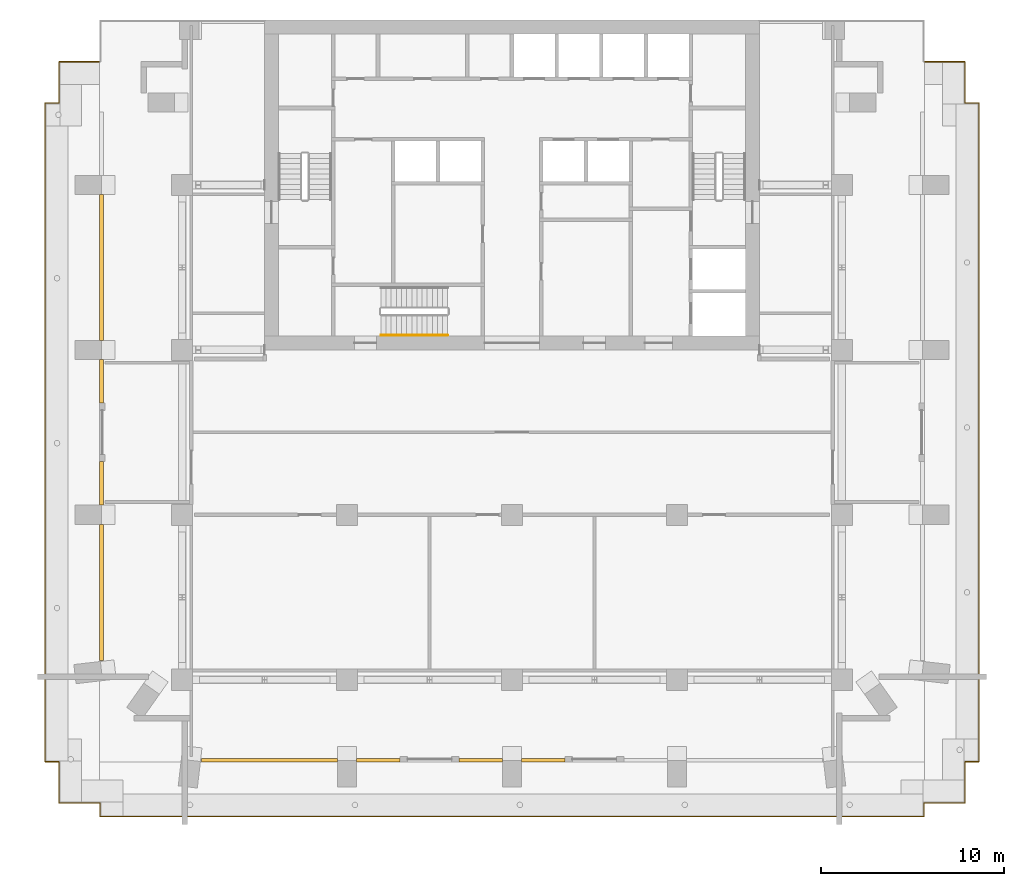
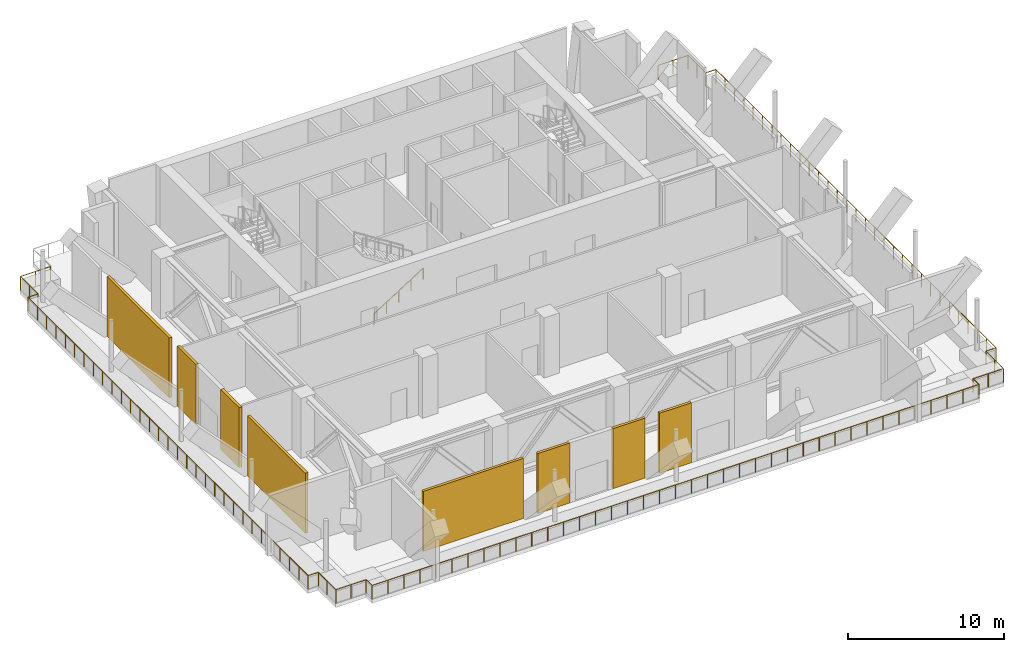
# One storey, part 6 of 9: 8 shading devices, 2 railings.
"""IFC4 building model written with IfcOpenShell, lengths in metres."""

from ifc_helpers import new_model, si_unit, direction, frame, origin, origin_2d, place, context, subcontext, project, spatial, polyline, rectangle, circle, outline, extrude, material, layer, layer_set, type_object, element, save


model = new_model("IFC4")

# Units and contexts
model_context = context("Model", 3, precision=1e-05, world=origin(), true_north=direction((0.0, 1.0)))
body_context = subcontext(model_context, "Body", "Model", "MODEL_VIEW")
ifc_project = project(units=[si_unit("LENGTHUNIT", "METRE"), si_unit("AREAUNIT", "SQUARE_METRE"), si_unit("VOLUMEUNIT", "CUBIC_METRE"), si_unit("PLANEANGLEUNIT", "RADIAN"), si_unit("MASSUNIT", "GRAM", prefix="KILO")], contexts=[model_context])

# Site, building, storey
site_placement = place(None, origin())
site = spatial("IfcSite", under=ifc_project, at=site_placement, CompositionType="ELEMENT")
building_placement = place(site_placement, origin())
building = spatial("IfcBuilding", under=site, at=building_placement, Name="Orbiselva Terraces", CompositionType="ELEMENT")
storey_placement = place(building_placement, frame((0.0, 0.0, 179.4)))
storey = spatial("IfcBuildingStorey", under=building, at=storey_placement, Name="L45", CompositionType="ELEMENT", Elevation=179.4)

# Railing
ifc_material_1 = material(Name="Stainless steel", Category="steel")
railing_type_1 = type_object("IfcRailingType", Name="CORE-HANDRAIL-900", PredefinedType="HANDRAIL", material=ifc_material_1)
railing_1_placement = place(storey_placement, frame((-7.15, 5.3, 0.178571)))
element("IfcRailing", 1, at=railing_1_placement, inside=storey, type_object=railing_type_1, Name="L45 S3 stair handrail 1", PredefinedType="HANDRAIL", context=body_context, shape_type="SweptSolid", body=[
    extrude(circle(Radius=0.024, at=origin_2d()), frame((0.0, 0.0, 0.876), z_axis=(0.843129645223, 0.0, 0.537710332192), x_axis=(0.0, 1.0, 0.0)), (0.0, 0.0, 1.0), 4.317248),
    extrude(circle(Radius=0.021, at=origin_2d()), origin(), (0.0, 0.0, 1.0), 0.852),
    extrude(circle(Radius=0.021, at=origin_2d()), frame((0.91, 0.0, 0.580357)), (0.0, 0.0, 1.0), 0.852),
    extrude(circle(Radius=0.021, at=origin_2d()), frame((1.82, 0.0, 1.160714)), (0.0, 0.0, 1.0), 0.852),
    extrude(circle(Radius=0.021, at=origin_2d()), frame((2.73, 0.0, 1.741072)), (0.0, 0.0, 1.0), 0.852),
    extrude(circle(Radius=0.021, at=origin_2d()), frame((3.64, 0.0, 2.321429)), (0.0, 0.0, 1.0), 0.852),
])

# Shading devices
ifc_material_2 = material(Name="Terracotta louvre blades", Category="masonry")
ifc_layer = layer(ifc_material_2, 0.2)
ifc_layer_set = layer_set([ifc_layer], Name="Terracotta louvre blades")
shading_device_type = type_object("IfcShadingDeviceType", Name="ENV-LOUVRE-WALL-200", PredefinedType="USERDEFINED", material=ifc_layer_set)
shading_device_1_placement = place(storey_placement, origin())
element("IfcShadingDevice", 2, at=shading_device_1_placement, inside=storey, type_object=shading_device_type, Name="Louvre wall L45 S", ObjectType="LOUVRE", PredefinedType="USERDEFINED", context=body_context, shape_type="SweptSolid", body=[
    extrude(outline(polyline([(-16.957188, -18.0), (-9.525, -18.0), (-9.525, -17.8), (-16.957188, -17.8), (-16.957188, -18.0)])), origin(), (0.0, 0.0, 1.0), 4.7),
])
shading_device_2_placement = place(storey_placement, origin())
element("IfcShadingDevice", 3, at=shading_device_2_placement, inside=storey, type_object=shading_device_type, Name="Louvre wall L45 S", ObjectType="LOUVRE", PredefinedType="USERDEFINED", context=body_context, shape_type="SweptSolid", body=[
    extrude(outline(polyline([(-8.475, -18.0), (-6.1, -18.0), (-6.1, -17.8), (-8.475, -17.8), (-8.475, -18.0)])), origin(), (0.0, 0.0, 1.0), 4.7),
])
shading_device_3_placement = place(storey_placement, origin())
element("IfcShadingDevice", 4, at=shading_device_3_placement, inside=storey, type_object=shading_device_type, Name="Louvre wall L45 S", ObjectType="LOUVRE", PredefinedType="USERDEFINED", context=body_context, shape_type="SweptSolid", body=[
    extrude(outline(polyline([(-2.9, -18.0), (-0.525, -18.0), (-0.525, -17.8), (-2.9, -17.8), (-2.9, -18.0)])), origin(), (0.0, 0.0, 1.0), 4.7),
])
shading_device_4_placement = place(storey_placement, origin())
element("IfcShadingDevice", 5, at=shading_device_4_placement, inside=storey, type_object=shading_device_type, Name="Louvre wall L45 S", ObjectType="LOUVRE", PredefinedType="USERDEFINED", context=body_context, shape_type="SweptSolid", body=[
    extrude(outline(polyline([(0.525, -18.0), (2.9, -18.0), (2.9, -17.8), (0.525, -17.8), (0.525, -18.0)])), origin(), (0.0, 0.0, 1.0), 4.7),
])
shading_device_5_placement = place(storey_placement, origin())
element("IfcShadingDevice", 6, at=shading_device_5_placement, inside=storey, type_object=shading_device_type, Name="Louvre wall L45 W", ObjectType="LOUVRE", PredefinedType="USERDEFINED", context=body_context, shape_type="SweptSolid", body=[
    extrude(outline(polyline([(-22.5, 12.975), (-22.5, 5.025), (-22.3, 5.025), (-22.3, 12.975), (-22.5, 12.975)])), origin(), (0.0, 0.0, 1.0), 4.7),
])
shading_device_6_placement = place(storey_placement, origin())
element("IfcShadingDevice", 7, at=shading_device_6_placement, inside=storey, type_object=shading_device_type, Name="Louvre wall L45 W", ObjectType="LOUVRE", PredefinedType="USERDEFINED", context=body_context, shape_type="SweptSolid", body=[
    extrude(outline(polyline([(-22.5, 3.975), (-22.5, 1.6), (-22.3, 1.6), (-22.3, 3.975), (-22.5, 3.975)])), origin(), (0.0, 0.0, 1.0), 4.7),
])
shading_device_7_placement = place(storey_placement, origin())
element("IfcShadingDevice", 8, at=shading_device_7_placement, inside=storey, type_object=shading_device_type, Name="Louvre wall L45 W", ObjectType="LOUVRE", PredefinedType="USERDEFINED", context=body_context, shape_type="SweptSolid", body=[
    extrude(outline(polyline([(-22.5, -1.6), (-22.5, -3.975), (-22.3, -3.975), (-22.3, -1.6), (-22.5, -1.6)])), origin(), (0.0, 0.0, 1.0), 4.7),
])
shading_device_8_placement = place(storey_placement, origin())
element("IfcShadingDevice", 9, at=shading_device_8_placement, inside=storey, type_object=shading_device_type, Name="Louvre wall L45 W", ObjectType="LOUVRE", PredefinedType="USERDEFINED", context=body_context, shape_type="SweptSolid", body=[
    extrude(outline(polyline([(-22.5, -5.025), (-22.5, -12.457188), (-22.3, -12.457188), (-22.3, -5.025), (-22.5, -5.025)])), origin(), (0.0, 0.0, 1.0), 4.7),
])

# Railing
ifc_material_3 = material(Name="Stainless steel rail and posts", Category="steel")
railing_type_2 = type_object("IfcRailingType", Name="ENV-TERRACE-GUARD-1105", PredefinedType="BALUSTRADE", material=ifc_material_3)
railing_2_placement = place(storey_placement, frame((-22.5, 20.225, 0.0)))
element("IfcRailing", 10, at=railing_2_placement, inside=storey, type_object=railing_type_2, Name="Guard L45 ring", PredefinedType="BALUSTRADE", context=body_context, shape_type="SweptSolid", body=[
    extrude(outline(polyline([(0.028868, 0.0), (0.014434, 0.025), (-0.014434, 0.025), (-0.028868, 0.0), (-0.014434, -0.025), (0.014434, -0.025), (0.028868, 0.0)])), frame((0.0, 0.0, 1.08), z_axis=(-1.0, 0.0, 0.0), x_axis=(0.0, -1.0, 0.0)), (0.0, 0.0, 1.0), 2.225),
    extrude(outline(polyline([(0.028868, 0.0), (0.014434, 0.025), (-0.014434, 0.025), (-0.028868, 0.0), (-0.014434, -0.025), (0.014434, -0.025), (0.028868, 0.0)])), frame((-2.225, 0.0, 1.08), z_axis=(0.0, -1.0, 0.0), x_axis=(1.0, 0.0, 0.0)), (0.0, 0.0, 1.0), 2.25),
    extrude(outline(polyline([(0.028868, 0.0), (0.014434, 0.025), (-0.014434, 0.025), (-0.028868, 0.0), (-0.014434, -0.025), (0.014434, -0.025), (0.028868, 0.0)])), frame((-2.225, -2.25, 1.08), z_axis=(-1.0, 0.0, 0.0), x_axis=(0.0, -1.0, 0.0)), (0.0, 0.0, 1.0), 0.75),
    extrude(outline(polyline([(0.028868, 0.0), (0.014434, 0.025), (-0.014434, 0.025), (-0.028868, 0.0), (-0.014434, -0.025), (0.014434, -0.025), (0.028868, 0.0)])), frame((-2.975, -2.25, 1.08), z_axis=(0.0, -1.0, 0.0), x_axis=(1.0, 0.0, 0.0)), (0.0, 0.0, 1.0), 35.95),
    extrude(outline(polyline([(0.028868, 0.0), (0.014434, 0.025), (-0.014434, 0.025), (-0.028868, 0.0), (-0.014434, -0.025), (0.014434, -0.025), (0.028868, 0.0)])), frame((-2.975, -38.2, 1.08), z_axis=(1.0, 0.0, 0.0), x_axis=(0.0, 1.0, 0.0)), (0.0, 0.0, 1.0), 0.75),
    extrude(outline(polyline([(0.028868, 0.0), (0.014434, 0.025), (-0.014434, 0.025), (-0.028868, 0.0), (-0.014434, -0.025), (0.014434, -0.025), (0.028868, 0.0)])), frame((-2.225, -38.2, 1.08), z_axis=(0.0, -1.0, 0.0), x_axis=(1.0, 0.0, 0.0)), (0.0, 0.0, 1.0), 2.25),
    extrude(outline(polyline([(0.028868, 0.0), (0.014434, 0.025), (-0.014434, 0.025), (-0.028868, 0.0), (-0.014434, -0.025), (0.014434, -0.025), (0.028868, 0.0)])), frame((-2.225, -40.45, 1.08), z_axis=(1.0, 0.0, 0.0), x_axis=(0.0, 1.0, 0.0)), (0.0, 0.0, 1.0), 2.25),
    extrude(outline(polyline([(0.028868, 0.0), (0.014434, 0.025), (-0.014434, 0.025), (-0.028868, 0.0), (-0.014434, -0.025), (0.014434, -0.025), (0.028868, 0.0)])), frame((0.025, -40.45, 1.08), z_axis=(0.0, -1.0, 0.0), x_axis=(1.0, 0.0, 0.0)), (0.0, 0.0, 1.0), 0.75),
    extrude(outline(polyline([(0.028868, 0.0), (0.014434, 0.025), (-0.014434, 0.025), (-0.028868, 0.0), (-0.014434, -0.025), (0.014434, -0.025), (0.028868, 0.0)])), frame((0.025, -41.2, 1.08), z_axis=(1.0, 0.0, 0.0), x_axis=(0.0, 1.0, 0.0)), (0.0, 0.0, 1.0), 44.95),
    extrude(outline(polyline([(0.028868, 0.0), (0.014434, 0.025), (-0.014434, 0.025), (-0.028868, 0.0), (-0.014434, -0.025), (0.014434, -0.025), (0.028868, 0.0)])), frame((44.975, -41.2, 1.08), z_axis=(0.0, 1.0, 0.0), x_axis=(-1.0, 0.0, 0.0)), (0.0, 0.0, 1.0), 0.75),
    extrude(outline(polyline([(0.028868, 0.0), (0.014434, 0.025), (-0.014434, 0.025), (-0.028868, 0.0), (-0.014434, -0.025), (0.014434, -0.025), (0.028868, 0.0)])), frame((44.975, -40.45, 1.08), z_axis=(1.0, 0.0, 0.0), x_axis=(0.0, 1.0, 0.0)), (0.0, 0.0, 1.0), 2.25),
    extrude(outline(polyline([(0.028868, 0.0), (0.014434, 0.025), (-0.014434, 0.025), (-0.028868, 0.0), (-0.014434, -0.025), (0.014434, -0.025), (0.028868, 0.0)])), frame((47.225, -40.45, 1.08), z_axis=(0.0, 1.0, 0.0), x_axis=(-1.0, 0.0, 0.0)), (0.0, 0.0, 1.0), 2.25),
    extrude(outline(polyline([(0.028868, 0.0), (0.014434, 0.025), (-0.014434, 0.025), (-0.028868, 0.0), (-0.014434, -0.025), (0.014434, -0.025), (0.028868, 0.0)])), frame((47.225, -38.2, 1.08), z_axis=(1.0, 0.0, 0.0), x_axis=(0.0, 1.0, 0.0)), (0.0, 0.0, 1.0), 0.75),
    extrude(outline(polyline([(0.028868, 0.0), (0.014434, 0.025), (-0.014434, 0.025), (-0.028868, 0.0), (-0.014434, -0.025), (0.014434, -0.025), (0.028868, 0.0)])), frame((47.975, -38.2, 1.08), z_axis=(0.0, 1.0, 0.0), x_axis=(-1.0, 0.0, 0.0)), (0.0, 0.0, 1.0), 35.95),
    extrude(outline(polyline([(0.028868, 0.0), (0.014434, 0.025), (-0.014434, 0.025), (-0.028868, 0.0), (-0.014434, -0.025), (0.014434, -0.025), (0.028868, 0.0)])), frame((47.975, -2.25, 1.08), z_axis=(-1.0, 0.0, 0.0), x_axis=(0.0, -1.0, 0.0)), (0.0, 0.0, 1.0), 0.75),
    extrude(outline(polyline([(0.028868, 0.0), (0.014434, 0.025), (-0.014434, 0.025), (-0.028868, 0.0), (-0.014434, -0.025), (0.014434, -0.025), (0.028868, 0.0)])), frame((47.225, -2.25, 1.08), z_axis=(0.0, 1.0, 0.0), x_axis=(-1.0, 0.0, 0.0)), (0.0, 0.0, 1.0), 2.25),
    extrude(outline(polyline([(0.028868, 0.0), (0.014434, 0.025), (-0.014434, 0.025), (-0.028868, 0.0), (-0.014434, -0.025), (0.014434, -0.025), (0.028868, 0.0)])), frame((47.225, 0.0, 1.08), z_axis=(-1.0, 0.0, 0.0), x_axis=(0.0, -1.0, 0.0)), (0.0, 0.0, 1.0), 2.225),
    extrude(rectangle(XDim=0.05, YDim=0.05, at=origin_2d()), origin(), (0.0, 0.0, 1.0), 1.055),
    extrude(rectangle(XDim=0.05, YDim=0.05, at=origin_2d()), frame((-1.1125, 0.0, 0.0)), (0.0, 0.0, 1.0), 1.055),
    extrude(rectangle(XDim=0.05, YDim=0.05, at=origin_2d()), frame((-2.225, 0.0, 0.0)), (0.0, 0.0, 1.0), 1.055),
    extrude(rectangle(XDim=0.05, YDim=0.05, at=origin_2d()), frame((-2.225, -1.125, 0.0)), (0.0, 0.0, 1.0), 1.055),
    extrude(rectangle(XDim=0.05, YDim=0.05, at=origin_2d()), frame((-2.225, -2.25, 0.0)), (0.0, 0.0, 1.0), 1.055),
    extrude(rectangle(XDim=0.05, YDim=0.05, at=origin_2d()), frame((-2.975, -2.25, 0.0)), (0.0, 0.0, 1.0), 1.055),
    extrude(rectangle(XDim=0.05, YDim=0.05, at=origin_2d()), frame((-2.975, -3.448333, 0.0)), (0.0, 0.0, 1.0), 1.055),
    extrude(rectangle(XDim=0.05, YDim=0.05, at=origin_2d()), frame((-2.975, -4.646667, 0.0)), (0.0, 0.0, 1.0), 1.055),
    extrude(rectangle(XDim=0.05, YDim=0.05, at=origin_2d()), frame((-2.975, -5.845, 0.0)), (0.0, 0.0, 1.0), 1.055),
    extrude(rectangle(XDim=0.05, YDim=0.05, at=origin_2d()), frame((-2.975, -7.043333, 0.0)), (0.0, 0.0, 1.0), 1.055),
    extrude(rectangle(XDim=0.05, YDim=0.05, at=origin_2d()), frame((-2.975, -8.241667, 0.0)), (0.0, 0.0, 1.0), 1.055),
    extrude(rectangle(XDim=0.05, YDim=0.05, at=origin_2d()), frame((-2.975, -9.44, 0.0)), (0.0, 0.0, 1.0), 1.055),
    extrude(rectangle(XDim=0.05, YDim=0.05, at=origin_2d()), frame((-2.975, -10.638333, 0.0)), (0.0, 0.0, 1.0), 1.055),
    extrude(rectangle(XDim=0.05, YDim=0.05, at=origin_2d()), frame((-2.975, -11.836667, 0.0)), (0.0, 0.0, 1.0), 1.055),
    extrude(rectangle(XDim=0.05, YDim=0.05, at=origin_2d()), frame((-2.975, -13.035, 0.0)), (0.0, 0.0, 1.0), 1.055),
    extrude(rectangle(XDim=0.05, YDim=0.05, at=origin_2d()), frame((-2.975, -14.233333, 0.0)), (0.0, 0.0, 1.0), 1.055),
    extrude(rectangle(XDim=0.05, YDim=0.05, at=origin_2d()), frame((-2.975, -15.431667, 0.0)), (0.0, 0.0, 1.0), 1.055),
    extrude(rectangle(XDim=0.05, YDim=0.05, at=origin_2d()), frame((-2.975, -16.63, 0.0)), (0.0, 0.0, 1.0), 1.055),
    extrude(rectangle(XDim=0.05, YDim=0.05, at=origin_2d()), frame((-2.975, -17.828333, 0.0)), (0.0, 0.0, 1.0), 1.055),
    extrude(rectangle(XDim=0.05, YDim=0.05, at=origin_2d()), frame((-2.975, -19.026667, 0.0)), (0.0, 0.0, 1.0), 1.055),
    extrude(rectangle(XDim=0.05, YDim=0.05, at=origin_2d()), frame((-2.975, -20.225, 0.0)), (0.0, 0.0, 1.0), 1.055),
    extrude(rectangle(XDim=0.05, YDim=0.05, at=origin_2d()), frame((-2.975, -21.423333, 0.0)), (0.0, 0.0, 1.0), 1.055),
    extrude(rectangle(XDim=0.05, YDim=0.05, at=origin_2d()), frame((-2.975, -22.621667, 0.0)), (0.0, 0.0, 1.0), 1.055),
    extrude(rectangle(XDim=0.05, YDim=0.05, at=origin_2d()), frame((-2.975, -23.82, 0.0)), (0.0, 0.0, 1.0), 1.055),
    extrude(rectangle(XDim=0.05, YDim=0.05, at=origin_2d()), frame((-2.975, -25.018333, 0.0)), (0.0, 0.0, 1.0), 1.055),
    extrude(rectangle(XDim=0.05, YDim=0.05, at=origin_2d()), frame((-2.975, -26.216667, 0.0)), (0.0, 0.0, 1.0), 1.055),
    extrude(rectangle(XDim=0.05, YDim=0.05, at=origin_2d()), frame((-2.975, -27.415, 0.0)), (0.0, 0.0, 1.0), 1.055),
    extrude(rectangle(XDim=0.05, YDim=0.05, at=origin_2d()), frame((-2.975, -28.613333, 0.0)), (0.0, 0.0, 1.0), 1.055),
    extrude(rectangle(XDim=0.05, YDim=0.05, at=origin_2d()), frame((-2.975, -29.811667, 0.0)), (0.0, 0.0, 1.0), 1.055),
    extrude(rectangle(XDim=0.05, YDim=0.05, at=origin_2d()), frame((-2.975, -31.01, 0.0)), (0.0, 0.0, 1.0), 1.055),
    extrude(rectangle(XDim=0.05, YDim=0.05, at=origin_2d()), frame((-2.975, -32.208333, 0.0)), (0.0, 0.0, 1.0), 1.055),
    extrude(rectangle(XDim=0.05, YDim=0.05, at=origin_2d()), frame((-2.975, -33.406667, 0.0)), (0.0, 0.0, 1.0), 1.055),
    extrude(rectangle(XDim=0.05, YDim=0.05, at=origin_2d()), frame((-2.975, -34.605, 0.0)), (0.0, 0.0, 1.0), 1.055),
    extrude(rectangle(XDim=0.05, YDim=0.05, at=origin_2d()), frame((-2.975, -35.803333, 0.0)), (0.0, 0.0, 1.0), 1.055),
    extrude(rectangle(XDim=0.05, YDim=0.05, at=origin_2d()), frame((-2.975, -37.001667, 0.0)), (0.0, 0.0, 1.0), 1.055),
    extrude(rectangle(XDim=0.05, YDim=0.05, at=origin_2d()), frame((-2.975, -38.2, 0.0)), (0.0, 0.0, 1.0), 1.055),
    extrude(rectangle(XDim=0.05, YDim=0.05, at=origin_2d()), frame((-2.225, -38.2, 0.0)), (0.0, 0.0, 1.0), 1.055),
    extrude(rectangle(XDim=0.05, YDim=0.05, at=origin_2d()), frame((-2.225, -39.325, 0.0)), (0.0, 0.0, 1.0), 1.055),
    extrude(rectangle(XDim=0.05, YDim=0.05, at=origin_2d()), frame((-2.225, -40.45, 0.0)), (0.0, 0.0, 1.0), 1.055),
    extrude(rectangle(XDim=0.05, YDim=0.05, at=origin_2d()), frame((-1.1, -40.45, 0.0)), (0.0, 0.0, 1.0), 1.055),
    extrude(rectangle(XDim=0.05, YDim=0.05, at=origin_2d()), frame((0.025, -40.45, 0.0)), (0.0, 0.0, 1.0), 1.055),
    extrude(rectangle(XDim=0.05, YDim=0.05, at=origin_2d()), frame((0.025, -41.2, 0.0)), (0.0, 0.0, 1.0), 1.055),
    extrude(rectangle(XDim=0.05, YDim=0.05, at=origin_2d()), frame((1.207895, -41.2, 0.0)), (0.0, 0.0, 1.0), 1.055),
    extrude(rectangle(XDim=0.05, YDim=0.05, at=origin_2d()), frame((2.390789, -41.2, 0.0)), (0.0, 0.0, 1.0), 1.055),
    extrude(rectangle(XDim=0.05, YDim=0.05, at=origin_2d()), frame((3.573684, -41.2, 0.0)), (0.0, 0.0, 1.0), 1.055),
    extrude(rectangle(XDim=0.05, YDim=0.05, at=origin_2d()), frame((4.756579, -41.2, 0.0)), (0.0, 0.0, 1.0), 1.055),
    extrude(rectangle(XDim=0.05, YDim=0.05, at=origin_2d()), frame((5.939474, -41.2, 0.0)), (0.0, 0.0, 1.0), 1.055),
    extrude(rectangle(XDim=0.05, YDim=0.05, at=origin_2d()), frame((7.122368, -41.2, 0.0)), (0.0, 0.0, 1.0), 1.055),
    extrude(rectangle(XDim=0.05, YDim=0.05, at=origin_2d()), frame((8.305263, -41.2, 0.0)), (0.0, 0.0, 1.0), 1.055),
    extrude(rectangle(XDim=0.05, YDim=0.05, at=origin_2d()), frame((9.488158, -41.2, 0.0)), (0.0, 0.0, 1.0), 1.055),
    extrude(rectangle(XDim=0.05, YDim=0.05, at=origin_2d()), frame((10.671053, -41.2, 0.0)), (0.0, 0.0, 1.0), 1.055),
    extrude(rectangle(XDim=0.05, YDim=0.05, at=origin_2d()), frame((11.853947, -41.2, 0.0)), (0.0, 0.0, 1.0), 1.055),
    extrude(rectangle(XDim=0.05, YDim=0.05, at=origin_2d()), frame((13.036842, -41.2, 0.0)), (0.0, 0.0, 1.0), 1.055),
    extrude(rectangle(XDim=0.05, YDim=0.05, at=origin_2d()), frame((14.219737, -41.2, 0.0)), (0.0, 0.0, 1.0), 1.055),
    extrude(rectangle(XDim=0.05, YDim=0.05, at=origin_2d()), frame((15.402632, -41.2, 0.0)), (0.0, 0.0, 1.0), 1.055),
    extrude(rectangle(XDim=0.05, YDim=0.05, at=origin_2d()), frame((16.585526, -41.2, 0.0)), (0.0, 0.0, 1.0), 1.055),
    extrude(rectangle(XDim=0.05, YDim=0.05, at=origin_2d()), frame((17.768421, -41.2, 0.0)), (0.0, 0.0, 1.0), 1.055),
    extrude(rectangle(XDim=0.05, YDim=0.05, at=origin_2d()), frame((18.951316, -41.2, 0.0)), (0.0, 0.0, 1.0), 1.055),
    extrude(rectangle(XDim=0.05, YDim=0.05, at=origin_2d()), frame((20.134211, -41.2, 0.0)), (0.0, 0.0, 1.0), 1.055),
    extrude(rectangle(XDim=0.05, YDim=0.05, at=origin_2d()), frame((21.317105, -41.2, 0.0)), (0.0, 0.0, 1.0), 1.055),
    extrude(rectangle(XDim=0.05, YDim=0.05, at=origin_2d()), frame((22.5, -41.2, 0.0)), (0.0, 0.0, 1.0), 1.055),
    extrude(rectangle(XDim=0.05, YDim=0.05, at=origin_2d()), frame((23.682895, -41.2, 0.0)), (0.0, 0.0, 1.0), 1.055),
    extrude(rectangle(XDim=0.05, YDim=0.05, at=origin_2d()), frame((24.865789, -41.2, 0.0)), (0.0, 0.0, 1.0), 1.055),
    extrude(rectangle(XDim=0.05, YDim=0.05, at=origin_2d()), frame((26.048684, -41.2, 0.0)), (0.0, 0.0, 1.0), 1.055),
    extrude(rectangle(XDim=0.05, YDim=0.05, at=origin_2d()), frame((27.231579, -41.2, 0.0)), (0.0, 0.0, 1.0), 1.055),
    extrude(rectangle(XDim=0.05, YDim=0.05, at=origin_2d()), frame((28.414474, -41.2, 0.0)), (0.0, 0.0, 1.0), 1.055),
    extrude(rectangle(XDim=0.05, YDim=0.05, at=origin_2d()), frame((29.597368, -41.2, 0.0)), (0.0, 0.0, 1.0), 1.055),
    extrude(rectangle(XDim=0.05, YDim=0.05, at=origin_2d()), frame((30.780263, -41.2, 0.0)), (0.0, 0.0, 1.0), 1.055),
    extrude(rectangle(XDim=0.05, YDim=0.05, at=origin_2d()), frame((31.963158, -41.2, 0.0)), (0.0, 0.0, 1.0), 1.055),
    extrude(rectangle(XDim=0.05, YDim=0.05, at=origin_2d()), frame((33.146053, -41.2, 0.0)), (0.0, 0.0, 1.0), 1.055),
    extrude(rectangle(XDim=0.05, YDim=0.05, at=origin_2d()), frame((34.328947, -41.2, 0.0)), (0.0, 0.0, 1.0), 1.055),
    extrude(rectangle(XDim=0.05, YDim=0.05, at=origin_2d()), frame((35.511842, -41.2, 0.0)), (0.0, 0.0, 1.0), 1.055),
    extrude(rectangle(XDim=0.05, YDim=0.05, at=origin_2d()), frame((36.694737, -41.2, 0.0)), (0.0, 0.0, 1.0), 1.055),
    extrude(rectangle(XDim=0.05, YDim=0.05, at=origin_2d()), frame((37.877632, -41.2, 0.0)), (0.0, 0.0, 1.0), 1.055),
    extrude(rectangle(XDim=0.05, YDim=0.05, at=origin_2d()), frame((39.060526, -41.2, 0.0)), (0.0, 0.0, 1.0), 1.055),
    extrude(rectangle(XDim=0.05, YDim=0.05, at=origin_2d()), frame((40.243421, -41.2, 0.0)), (0.0, 0.0, 1.0), 1.055),
    extrude(rectangle(XDim=0.05, YDim=0.05, at=origin_2d()), frame((41.426316, -41.2, 0.0)), (0.0, 0.0, 1.0), 1.055),
    extrude(rectangle(XDim=0.05, YDim=0.05, at=origin_2d()), frame((42.609211, -41.2, 0.0)), (0.0, 0.0, 1.0), 1.055),
    extrude(rectangle(XDim=0.05, YDim=0.05, at=origin_2d()), frame((43.792105, -41.2, 0.0)), (0.0, 0.0, 1.0), 1.055),
    extrude(rectangle(XDim=0.05, YDim=0.05, at=origin_2d()), frame((44.975, -41.2, 0.0)), (0.0, 0.0, 1.0), 1.055),
    extrude(rectangle(XDim=0.05, YDim=0.05, at=origin_2d()), frame((44.975, -40.45, 0.0)), (0.0, 0.0, 1.0), 1.055),
    extrude(rectangle(XDim=0.05, YDim=0.05, at=origin_2d()), frame((46.1, -40.45, 0.0)), (0.0, 0.0, 1.0), 1.055),
    extrude(rectangle(XDim=0.05, YDim=0.05, at=origin_2d()), frame((47.225, -40.45, 0.0)), (0.0, 0.0, 1.0), 1.055),
    extrude(rectangle(XDim=0.05, YDim=0.05, at=origin_2d()), frame((47.225, -39.325, 0.0)), (0.0, 0.0, 1.0), 1.055),
    extrude(rectangle(XDim=0.05, YDim=0.05, at=origin_2d()), frame((47.225, -38.2, 0.0)), (0.0, 0.0, 1.0), 1.055),
    extrude(rectangle(XDim=0.05, YDim=0.05, at=origin_2d()), frame((47.975, -38.2, 0.0)), (0.0, 0.0, 1.0), 1.055),
    extrude(rectangle(XDim=0.05, YDim=0.05, at=origin_2d()), frame((47.975, -37.001667, 0.0)), (0.0, 0.0, 1.0), 1.055),
    extrude(rectangle(XDim=0.05, YDim=0.05, at=origin_2d()), frame((47.975, -35.803333, 0.0)), (0.0, 0.0, 1.0), 1.055),
    extrude(rectangle(XDim=0.05, YDim=0.05, at=origin_2d()), frame((47.975, -34.605, 0.0)), (0.0, 0.0, 1.0), 1.055),
    extrude(rectangle(XDim=0.05, YDim=0.05, at=origin_2d()), frame((47.975, -33.406667, 0.0)), (0.0, 0.0, 1.0), 1.055),
    extrude(rectangle(XDim=0.05, YDim=0.05, at=origin_2d()), frame((47.975, -32.208333, 0.0)), (0.0, 0.0, 1.0), 1.055),
    extrude(rectangle(XDim=0.05, YDim=0.05, at=origin_2d()), frame((47.975, -31.01, 0.0)), (0.0, 0.0, 1.0), 1.055),
    extrude(rectangle(XDim=0.05, YDim=0.05, at=origin_2d()), frame((47.975, -29.811667, 0.0)), (0.0, 0.0, 1.0), 1.055),
    extrude(rectangle(XDim=0.05, YDim=0.05, at=origin_2d()), frame((47.975, -28.613333, 0.0)), (0.0, 0.0, 1.0), 1.055),
    extrude(rectangle(XDim=0.05, YDim=0.05, at=origin_2d()), frame((47.975, -27.415, 0.0)), (0.0, 0.0, 1.0), 1.055),
    extrude(rectangle(XDim=0.05, YDim=0.05, at=origin_2d()), frame((47.975, -26.216667, 0.0)), (0.0, 0.0, 1.0), 1.055),
    extrude(rectangle(XDim=0.05, YDim=0.05, at=origin_2d()), frame((47.975, -25.018333, 0.0)), (0.0, 0.0, 1.0), 1.055),
    extrude(rectangle(XDim=0.05, YDim=0.05, at=origin_2d()), frame((47.975, -23.82, 0.0)), (0.0, 0.0, 1.0), 1.055),
    extrude(rectangle(XDim=0.05, YDim=0.05, at=origin_2d()), frame((47.975, -22.621667, 0.0)), (0.0, 0.0, 1.0), 1.055),
    extrude(rectangle(XDim=0.05, YDim=0.05, at=origin_2d()), frame((47.975, -21.423333, 0.0)), (0.0, 0.0, 1.0), 1.055),
    extrude(rectangle(XDim=0.05, YDim=0.05, at=origin_2d()), frame((47.975, -20.225, 0.0)), (0.0, 0.0, 1.0), 1.055),
    extrude(rectangle(XDim=0.05, YDim=0.05, at=origin_2d()), frame((47.975, -19.026667, 0.0)), (0.0, 0.0, 1.0), 1.055),
    extrude(rectangle(XDim=0.05, YDim=0.05, at=origin_2d()), frame((47.975, -17.828333, 0.0)), (0.0, 0.0, 1.0), 1.055),
    extrude(rectangle(XDim=0.05, YDim=0.05, at=origin_2d()), frame((47.975, -16.63, 0.0)), (0.0, 0.0, 1.0), 1.055),
    extrude(rectangle(XDim=0.05, YDim=0.05, at=origin_2d()), frame((47.975, -15.431667, 0.0)), (0.0, 0.0, 1.0), 1.055),
    extrude(rectangle(XDim=0.05, YDim=0.05, at=origin_2d()), frame((47.975, -14.233333, 0.0)), (0.0, 0.0, 1.0), 1.055),
    extrude(rectangle(XDim=0.05, YDim=0.05, at=origin_2d()), frame((47.975, -13.035, 0.0)), (0.0, 0.0, 1.0), 1.055),
    extrude(rectangle(XDim=0.05, YDim=0.05, at=origin_2d()), frame((47.975, -11.836667, 0.0)), (0.0, 0.0, 1.0), 1.055),
    extrude(rectangle(XDim=0.05, YDim=0.05, at=origin_2d()), frame((47.975, -10.638333, 0.0)), (0.0, 0.0, 1.0), 1.055),
    extrude(rectangle(XDim=0.05, YDim=0.05, at=origin_2d()), frame((47.975, -9.44, 0.0)), (0.0, 0.0, 1.0), 1.055),
    extrude(rectangle(XDim=0.05, YDim=0.05, at=origin_2d()), frame((47.975, -8.241667, 0.0)), (0.0, 0.0, 1.0), 1.055),
    extrude(rectangle(XDim=0.05, YDim=0.05, at=origin_2d()), frame((47.975, -7.043333, 0.0)), (0.0, 0.0, 1.0), 1.055),
    extrude(rectangle(XDim=0.05, YDim=0.05, at=origin_2d()), frame((47.975, -5.845, 0.0)), (0.0, 0.0, 1.0), 1.055),
    extrude(rectangle(XDim=0.05, YDim=0.05, at=origin_2d()), frame((47.975, -4.646667, 0.0)), (0.0, 0.0, 1.0), 1.055),
    extrude(rectangle(XDim=0.05, YDim=0.05, at=origin_2d()), frame((47.975, -3.448333, 0.0)), (0.0, 0.0, 1.0), 1.055),
    extrude(rectangle(XDim=0.05, YDim=0.05, at=origin_2d()), frame((47.975, -2.25, 0.0)), (0.0, 0.0, 1.0), 1.055),
    extrude(rectangle(XDim=0.05, YDim=0.05, at=origin_2d()), frame((47.225, -2.25, 0.0)), (0.0, 0.0, 1.0), 1.055),
    extrude(rectangle(XDim=0.05, YDim=0.05, at=origin_2d()), frame((47.225, -1.125, 0.0)), (0.0, 0.0, 1.0), 1.055),
    extrude(rectangle(XDim=0.05, YDim=0.05, at=origin_2d()), frame((47.225, 0.0, 0.0)), (0.0, 0.0, 1.0), 1.055),
    extrude(rectangle(XDim=0.05, YDim=0.05, at=origin_2d()), frame((46.1125, 0.0, 0.0)), (0.0, 0.0, 1.0), 1.055),
    extrude(rectangle(XDim=0.05, YDim=0.05, at=origin_2d()), frame((45.0, 0.0, 0.0)), (0.0, 0.0, 1.0), 1.055),
])

save(model, "model.ifc")
